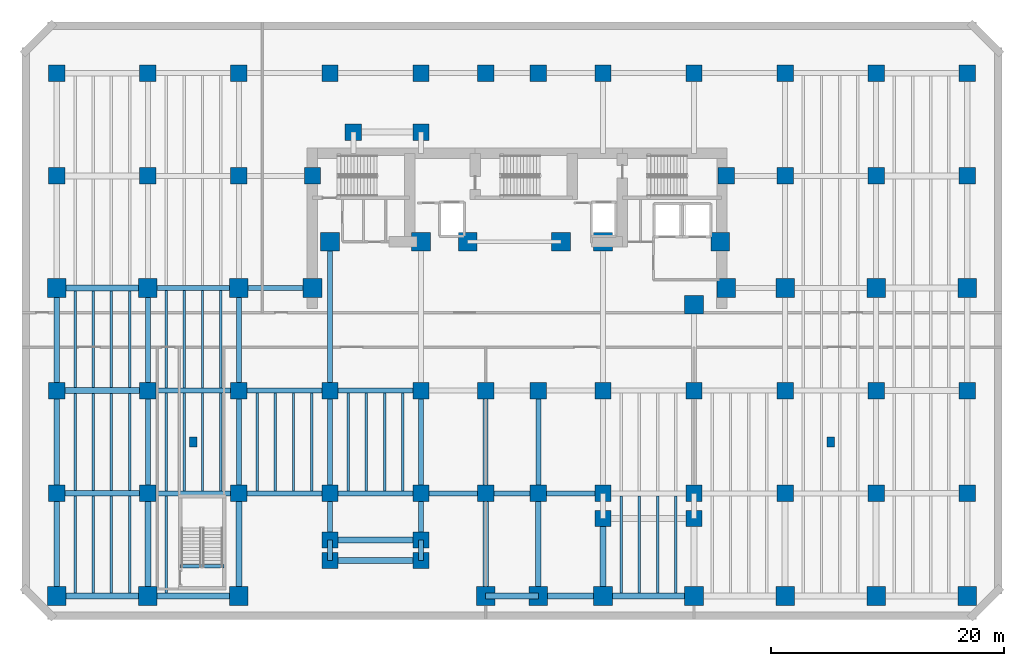
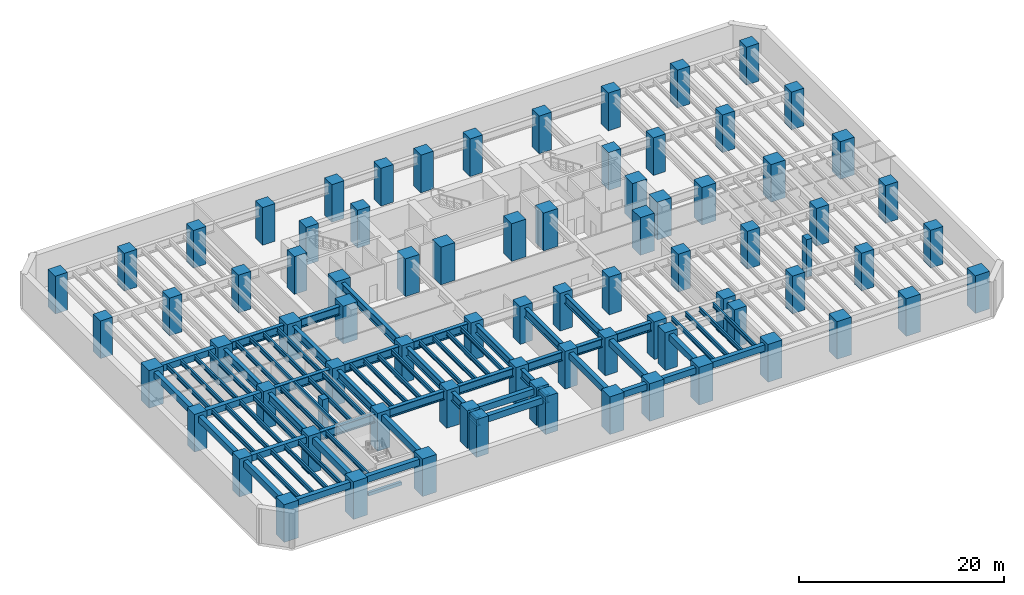
# One storey, part 1 of 9: 79 columns, 76 beams.
"""IFC4 building model written with IfcOpenShell, lengths in metres."""

import ifcopenshell
import ifcopenshell.guid

model = None  # the IFC model being written
_history = None  # IfcOwnerHistory: only IFC2X3 demands one
_inside = {}  # id of a spatial element -> (the spatial element, [elements in it])
_under = {}  # id of a project, library or spatial element -> (it, [spatial elements below it])
_declared = {}  # id of a project -> (the project, [libraries it declares])
_typed = {}  # id of a type object -> (the type object, [elements of that type])
_made_of = {}  # id of a material, layer set ... -> (it, [elements and type objects made of it])


def new_model(schema):
    """Start an empty IFC model of exactly this schema.

    Asked for "IFC4X3", IfcOpenShell would pick the latest addendum, in which some entities
    have other attributes; the version numbers below select the first issue.
    IFC2X3 requires an IfcOwnerHistory on every rooted entity: one is made here for all.
    """
    global model, _history
    if schema == "IFC4X3":
        model = ifcopenshell.file(schema_version=(4, 3, 0, 0))
    else:
        model = ifcopenshell.file(schema=schema)
    _inside.clear()
    _under.clear()
    _declared.clear()
    _typed.clear()
    _made_of.clear()
    _history = None
    if model.schema == "IFC2X3":
        org = make("IfcOrganization", Name="unknown")
        user = make(
            "IfcPersonAndOrganization",
            ThePerson=make("IfcPerson", FamilyName="unknown"),
            TheOrganization=org,
        )
        app = make(
            "IfcApplication",
            ApplicationDeveloper=org,
            Version="unknown",
            ApplicationFullName="unknown",
            ApplicationIdentifier="unknown",
        )
        _history = make(
            "IfcOwnerHistory",
            OwningUser=user,
            OwningApplication=app,
            ChangeAction="ADDED",
            CreationDate=0,
        )
    return model


def make(cls, **values):
    """One entity of the class cls with the attributes given. An attribute that is None is left unset."""
    return model.create_entity(
        cls, **{name: value for name, value in values.items() if value is not None}
    )


def rooted(cls, **values):
    """An entity with a GlobalId (a new one), such as an element, a storey or a relation."""
    return make(cls, GlobalId=ifcopenshell.guid.new(), OwnerHistory=_history, **values)


def si_unit(unit_type, name, prefix=None):
    """IfcSIUnit, for example si_unit("LENGTHUNIT", "METRE", prefix="MILLI")."""
    return make("IfcSIUnit", UnitType=unit_type, Prefix=prefix, Name=name)


def assignment(units):
    """IfcUnitAssignment: the units of a project."""
    return None if units is None else make("IfcUnitAssignment", Units=units)


def point(xyz):
    """IfcCartesianPoint."""
    return None if xyz is None else make("IfcCartesianPoint", Coordinates=xyz)


def direction(xyz):
    """IfcDirection."""
    return None if xyz is None else make("IfcDirection", DirectionRatios=xyz)


def frame(location, z_axis=None, x_axis=None):
    """IfcAxis2Placement3D, a coordinate frame: its origin and axes. An axis left out is left unset."""
    return make(
        "IfcAxis2Placement3D",
        Location=point(location),
        Axis=direction(z_axis),
        RefDirection=direction(x_axis),
    )


def frame_2d(location, x_axis=None):
    """IfcAxis2Placement2D, a coordinate frame in the plane: its origin and x axis."""
    return make(
        "IfcAxis2Placement2D", Location=point(location), RefDirection=direction(x_axis)
    )


def origin():
    """The frame at (0, 0, 0) with its axes left unset."""
    return frame((0.0, 0.0, 0.0))


def origin_2d():
    """The frame at (0, 0) in the plane with its x axis left unset."""
    return frame_2d((0.0, 0.0))


def place(relative_to, where):
    """IfcLocalPlacement: puts the frame where relative to a parent placement (None: the world)."""
    return make(
        "IfcLocalPlacement", PlacementRelTo=relative_to, RelativePlacement=where
    )


def context(
    kind, dimensions, precision=None, world=None, true_north=None, identifier=None
):
    """IfcGeometricRepresentationContext, for example the 3D "Model" context."""
    return make(
        "IfcGeometricRepresentationContext",
        ContextIdentifier=identifier,
        ContextType=kind,
        CoordinateSpaceDimension=dimensions,
        Precision=precision,
        WorldCoordinateSystem=world,
        TrueNorth=true_north,
    )


def subcontext(parent, identifier, kind, view, scale=None):
    """IfcGeometricRepresentationSubContext, for example "Body" below "Model"."""
    return make(
        "IfcGeometricRepresentationSubContext",
        ContextIdentifier=identifier,
        ContextType=kind,
        ParentContext=parent,
        TargetScale=scale,
        TargetView=view,
    )


def project(units=None, contexts=None):
    """IfcProject with its units and contexts."""
    return rooted(
        "IfcProject",
        Name="project",
        RepresentationContexts=contexts,
        UnitsInContext=assignment(units),
    )


def spatial(cls, under=None, at=None, **own):
    """A site, building, storey or space (cls), placed at a placement, below another one or the project."""
    s = rooted(cls, ObjectPlacement=at, **own)
    if under is not None:
        _under.setdefault(under.id(), (under, []))[1].append(s)
    return s


def profile(cls, at=None, kind="AREA", **sizes):
    """A parametric profile (cls). Its sizes go by their IFC names, for example OverallWidth=200.0."""
    return make(cls, ProfileType=kind, Position=at, **sizes)


def rectangle(**sizes):
    """IfcRectangleProfileDef."""
    return profile("IfcRectangleProfileDef", **sizes)


def i_section(**sizes):
    """IfcIShapeProfileDef."""
    return profile("IfcIShapeProfileDef", **sizes)


def extrude(swept, where, along, depth):
    """IfcExtrudedAreaSolid: the profile swept, set in the frame where, extruded along a direction by depth."""
    return make(
        "IfcExtrudedAreaSolid",
        SweptArea=swept,
        Position=where,
        ExtrudedDirection=direction(along),
        Depth=depth,
    )


def shape(context_of_items, identifier, shape_type, items):
    """IfcShapeRepresentation: the items that make up one representation, for example the "Body"."""
    return make(
        "IfcShapeRepresentation",
        ContextOfItems=context_of_items,
        RepresentationIdentifier=identifier,
        RepresentationType=shape_type,
        Items=items,
    )


def material(Name=None, Category=None):
    """IfcMaterial."""
    return make("IfcMaterial", Name=Name, Category=Category)


def material_profile(
    of_material, cross_section, Name=None, Category=None, Priority=None
):
    """IfcMaterialProfile: a cross section and its material."""
    return make(
        "IfcMaterialProfile",
        Name=Name,
        Material=of_material,
        Profile=cross_section,
        Priority=Priority,
        Category=Category,
    )


def profile_set(profiles, Name=None, composite=None):
    """IfcMaterialProfileSet."""
    return make(
        "IfcMaterialProfileSet",
        Name=Name,
        MaterialProfiles=profiles,
        CompositeProfile=composite,
    )


def made_of(thing, what):
    """Note that an element or type object is made of a material, layer set ...; save() writes the relation."""
    if what is not None:
        _made_of.setdefault(what.id(), (what, []))[1].append(thing)
    return thing


def type_object(cls, material=None, **own):
    """A type object (cls), such as IfcWallType, which elements share."""
    return made_of(rooted(cls, **own), material)


def element(
    cls,
    number,
    at=None,
    inside=None,
    cuts=None,
    type_object=None,
    material=None,
    context=None,
    identifier="Body",
    shape_type=None,
    held_by="IfcProductDefinitionShape",
    body=None,
    shapes=None,
    **own,
):
    """One element of the class cls, such as IfcWall. Its Tag is "e" and its number.

    at: its placement. inside: the storey or other place that contains it. cuts: it is an
    opening in that element (IfcRelVoidsElement). A single representation is given by context,
    identifier, shape_type and body (its items); several are given by shapes. held_by: the class
    of the entity that holds the representations. save() writes the other relations.
    """
    e = rooted(cls, Tag="e%d" % number, ObjectPlacement=at, **own)
    if body is not None:
        shapes = [shape(context, identifier, shape_type, body)]
    if shapes is not None:
        e.Representation = make(held_by, Representations=shapes)
    if inside is not None:
        _inside.setdefault(inside.id(), (inside, []))[1].append(e)
    if cuts is not None:
        rooted(
            "IfcRelVoidsElement", RelatingBuildingElement=cuts, RelatedOpeningElement=e
        )
    if type_object is not None:
        _typed.setdefault(type_object.id(), (type_object, []))[1].append(e)
    return made_of(e, material)


def aggregate(whole, parts):
    """IfcRelAggregates: a whole, such as a stair, and the parts it consists of."""
    return rooted("IfcRelAggregates", RelatingObject=whole, RelatedObjects=parts)


def save(model, path):
    """Write the relations noted so far, then the file.

    IfcRelAggregates (storeys below a building ...), IfcRelContainedInSpatialStructure (elements
    in a storey), IfcRelDefinesByType, IfcRelAssociatesMaterial and IfcRelDeclares: one each for
    every whole, place, type object, material and project.
    """
    for whole, parts in _under.values():
        aggregate(whole, parts)
    for where, things in _inside.values():
        rooted(
            "IfcRelContainedInSpatialStructure",
            RelatedElements=things,
            RelatingStructure=where,
        )
    for kind, things in _typed.values():
        rooted("IfcRelDefinesByType", RelatedObjects=things, RelatingType=kind)
    for what, things in _made_of.values():
        rooted("IfcRelAssociatesMaterial", RelatedObjects=things, RelatingMaterial=what)
    for by, libraries in _declared.values():
        rooted("IfcRelDeclares", RelatingContext=by, RelatedDefinitions=libraries)
    model.write(path)


model = new_model("IFC4")

# Units and contexts
model_context = context("Model", 3, precision=1e-05, world=origin(), true_north=direction((0.0, 1.0)))
body_context = subcontext(model_context, "Body", "Model", "MODEL_VIEW")
ifc_project = project(units=[si_unit("LENGTHUNIT", "METRE"), si_unit("AREAUNIT", "SQUARE_METRE"), si_unit("VOLUMEUNIT", "CUBIC_METRE"), si_unit("PLANEANGLEUNIT", "RADIAN"), si_unit("MASSUNIT", "GRAM", prefix="KILO")], contexts=[model_context])

# Site, building, storey
site_placement = place(None, origin())
site = spatial("IfcSite", under=ifc_project, at=site_placement, CompositionType="ELEMENT")
building_placement = place(site_placement, origin())
building = spatial("IfcBuilding", under=site, at=building_placement, Name="Kestravale Grand Hotel", CompositionType="ELEMENT")
storey_placement = place(building_placement, frame((0.0, 0.0, -4.5)))
storey = spatial("IfcBuildingStorey", under=building, at=storey_placement, Name="B1", CompositionType="ELEMENT", Elevation=-4.5)

# Columns
ifc_material_1 = material(Name="Concrete f'c 70 MPa", Category="concrete")
ifc_material_profile_1 = material_profile(ifc_material_1, rectangle(XDim=1.39990234375, YDim=1.39990234375, at=origin_2d()))
ifc_profile_set_1 = profile_set([ifc_material_profile_1], Name="Concrete f'c 70 MPa")
column_type_1 = type_object("IfcColumnType", Name="C-Z1-1400", PredefinedType="COLUMN", material=ifc_profile_set_1)
for number, where, z_axis, x_axis, name in (
    (1, (0.0, 11.199951171875, 0.0), (0.0, 0.0, 1.0), (1.0, 0.0, 0.0), "B1 column 1-C"),
    (2, (0.0, 20.0, 0.0), (0.0, 0.0, 1.0), (1.0, 0.0, 0.0), "B1 column 1-D"),
    (3, (0.0, 38.39990234375, 0.0), (0.0, 0.0, 1.0), (1.0, 0.0, 0.0), "B1 column 1-F"),
    (4, (0.0, 47.199951171875, 0.0), (0.0, 0.0, 1.0), (1.0, 0.0, 0.0), "B1 column 1-G"),
    (5, (7.800048828125, 11.199951171875, 0.0), (0.0, 0.0, 1.0), (1.0, 0.0, 0.0), "B1 column 2-C"),
    (6, (7.800048828125, 20.0, 0.0), (0.0, 0.0, 1.0), (1.0, 0.0, 0.0), "B1 column 2-D"),
    (7, (7.800048828125, 38.39990234375, 0.0), (0.0, 0.0, 1.0), (1.0, 0.0, 0.0), "B1 column 2-F"),
    (8, (7.800048828125, 47.199951171875, 0.0), (0.0, 0.0, 1.0), (1.0, 0.0, 0.0), "B1 column 2-G"),
    (9, (15.60009765625, 11.199951171875, 0.0), (0.0, 0.0, 1.0), (1.0, 0.0, 0.0), "B1 column 3-C"),
    (10, (15.60009765625, 20.0, 0.0), (0.0, 0.0, 1.0), (1.0, 0.0, 0.0), "B1 column 3-D"),
    (11, (15.60009765625, 38.39990234375, 0.0), (0.0, 0.0, 1.0), (1.0, 0.0, 0.0), "B1 column 3-F"),
    (12, (15.60009765625, 47.199951171875, 0.0), (0.0, 0.0, 1.0), (1.0, 0.0, 0.0), "B1 column 3-G"),
    (13, (23.39990234375, 11.199951171875, 0.0), (0.0, 0.0, 1.0), (1.0, 0.0, 0.0), "B1 column 4-C"),
    (14, (23.39990234375, 20.0, 0.0), (0.0, 0.0, 1.0), (1.0, 0.0, 0.0), "B1 column 4-D"),
    (15, (23.39990234375, 47.199951171875, 0.0), (0.0, 0.0, 1.0), (1.0, 0.0, 0.0), "B1 column 4-G"),
    (16, (31.199951171875, 11.199951171875, 0.0), (0.0, 0.0, 1.0), (1.0, 0.0, 0.0), "B1 column 5-C"),
    (17, (31.199951171875, 20.0, 0.0), (0.0, 0.0, 1.0), (1.0, 0.0, 0.0), "B1 column 5-D"),
    (18, (31.199951171875, 47.199951171875, 0.0), (0.0, 0.0, 1.0), (1.0, 0.0, 0.0), "B1 column 5-G"),
    (19, (36.75, 11.199951171875, 0.0), (0.0, 0.0, 1.0), (1.0, 0.0, 0.0), "B1 column 6-C"),
    (20, (36.75, 20.0, 0.0), (0.0, 0.0, 1.0), (1.0, 0.0, 0.0), "B1 column 6-D"),
    (21, (36.75, 47.199951171875, 0.0), (0.0, 0.0, 1.0), (1.0, 0.0, 0.0), "B1 column 6-G"),
    (22, (41.25, 11.199951171875, 0.0), (0.0, 0.0, 1.0), (1.0, 0.0, 0.0), "B1 column 7-C"),
    (23, (41.25, 20.0, 0.0), (0.0, 0.0, 1.0), (1.0, 0.0, 0.0), "B1 column 7-D"),
    (24, (41.25, 47.199951171875, 0.0), (0.0, 0.0, 1.0), (1.0, 0.0, 0.0), "B1 column 7-G"),
    (25, (46.800048828125, 11.199951171875, 0.0), (0.0, 0.0, 1.0), (1.0, 0.0, 0.0), "B1 column 8-C"),
    (26, (46.800048828125, 20.0, 0.0), (0.0, 0.0, 1.0), (1.0, 0.0, 0.0), "B1 column 8-D"),
    (27, (46.800048828125, 47.199951171875, 0.0), (0.0, 0.0, 1.0), (1.0, 0.0, 0.0), "B1 column 8-G"),
    (28, (54.60009765625, 11.199951171875, 0.0), (0.0, 0.0, 1.0), (1.0, 0.0, 0.0), "B1 column 9-C"),
    (29, (54.60009765625, 20.0, 0.0), (0.0, 0.0, 1.0), (1.0, 0.0, 0.0), "B1 column 9-D"),
    (30, (54.60009765625, 47.199951171875, 0.0), (0.0, 0.0, 1.0), (1.0, 0.0, 0.0), "B1 column 9-G"),
    (31, (62.39990234375, 11.199951171875, 0.0), (0.0, 0.0, 1.0), (1.0, 0.0, 0.0), "B1 column 10-C"),
    (32, (62.39990234375, 20.0, 0.0), (0.0, 0.0, 1.0), (1.0, 0.0, 0.0), "B1 column 10-D"),
    (33, (62.39990234375, 38.39990234375, 0.0), (0.0, 0.0, 1.0), (1.0, 0.0, 0.0), "B1 column 10-F"),
    (34, (62.39990234375, 47.199951171875, 0.0), (0.0, 0.0, 1.0), (1.0, 0.0, 0.0), "B1 column 10-G"),
    (35, (70.199951171875, 11.199951171875, 0.0), (0.0, 0.0, 1.0), (1.0, 0.0, 0.0), "B1 column 11-C"),
    (36, (70.199951171875, 20.0, 0.0), (0.0, 0.0, 1.0), (1.0, 0.0, 0.0), "B1 column 11-D"),
    (37, (70.199951171875, 38.39990234375, 0.0), (0.0, 0.0, 1.0), (1.0, 0.0, 0.0), "B1 column 11-F"),
    (38, (70.199951171875, 47.199951171875, 0.0), (0.0, 0.0, 1.0), (1.0, 0.0, 0.0), "B1 column 11-G"),
    (39, (78.0, 11.199951171875, 0.0), (0.0, 0.0, 1.0), (1.0, 0.0, 0.0), "B1 column 12-C"),
    (40, (78.0, 20.0, 0.0), (0.0, 0.0, 1.0), (1.0, 0.0, 0.0), "B1 column 12-D"),
    (41, (78.0, 38.39990234375, 0.0), (0.0, 0.0, 1.0), (1.0, 0.0, 0.0), "B1 column 12-F"),
    (42, (78.0, 47.199951171875, 0.0), (0.0, 0.0, 1.0), (1.0, 0.0, 0.0), "B1 column 12-G"),
    (43, (21.89990234375, 38.39990234375, 0.0), (0.0, 0.0, 1.0), (1.0, 0.0, 0.0), "B1 column CW-F"),
    (44, (57.35009765625, 38.39990234375, 0.0), (0.0, 0.0, 1.0), (1.0, 0.0, 0.0), "B1 column CE-F"),
    (45, (23.39990234375, 7.199951171875, 0.0), (0.0, 0.0, 1.0), (1.0, 0.0, 0.0), "B1 column 4-BS"),
    (46, (31.199951171875, 7.199951171875, 0.0), (0.0, 0.0, 1.0), (1.0, 0.0, 0.0), "B1 column 5-BS"),
    (47, (25.39990234375, 42.14990234375, 0.0), (0.0, 0.0, 1.0), (1.0, 0.0, 0.0), "B1 column 4-FN"),
    (48, (31.199951171875, 42.14990234375, 0.0), (0.0, 0.0, 1.0), (1.0, 0.0, 0.0), "B1 column 5-FN"),
    (49, (23.39990234375, 5.449951171875, 0.0), (0.0, 0.0, 1.0), (1.0, 0.0, 0.0), "B1 column 4-B1S"),
    (50, (31.199951171875, 5.449951171875, 0.0), (0.0, 0.0, 1.0), (1.0, 0.0, 0.0), "B1 column 5-B1S"),
    (51, (46.800048828125, 9.050048828125, 0.0), (0.0, 0.0, 1.0), (1.0, 0.0, 0.0), "B1 column 8-B1E"),
    (52, (54.60009765625, 9.050048828125, 0.0), (0.0, 0.0, 1.0), (1.0, 0.0, 0.0), "B1 column 9-B1E"),
):
    element("IfcColumn", number, at=place(storey_placement, frame(where, z_axis=z_axis, x_axis=x_axis)), inside=storey, type_object=column_type_1, Name=name, PredefinedType="COLUMN", context=body_context, shape_type="SweptSolid", body=[
        extrude(rectangle(XDim=1.39990234375, YDim=1.39990234375, at=origin_2d()), origin(), (0.0, 0.0, 1.0), 4.5),
    ])
ifc_material_2 = material(Name="Concrete f'c 70 MPa", Category="concrete")
ifc_material_profile_2 = material_profile(ifc_material_2, rectangle(XDim=1.60009765625, YDim=1.60009765625, at=origin_2d()))
ifc_profile_set_2 = profile_set([ifc_material_profile_2], Name="Concrete f'c 70 MPa")
column_type_2 = type_object("IfcColumnType", Name="C-Z1-1600", PredefinedType="COLUMN", material=ifc_profile_set_2)
for number, where, z_axis, x_axis, name in (
    (53, (0.0, 2.39990234375, 0.0), (0.0, 0.0, 1.0), (1.0, 0.0, 0.0), "B1 column 1-B"),
    (54, (0.0, 28.800048828125, 0.0), (0.0, 0.0, 1.0), (1.0, 0.0, 0.0), "B1 column 1-E"),
    (55, (7.800048828125, 2.39990234375, 0.0), (0.0, 0.0, 1.0), (1.0, 0.0, 0.0), "B1 column 2-B"),
    (56, (7.800048828125, 28.800048828125, 0.0), (0.0, 0.0, 1.0), (1.0, 0.0, 0.0), "B1 column 2-E"),
    (57, (15.60009765625, 2.39990234375, 0.0), (0.0, 0.0, 1.0), (1.0, 0.0, 0.0), "B1 column 3-B"),
    (58, (15.60009765625, 28.800048828125, 0.0), (0.0, 0.0, 1.0), (1.0, 0.0, 0.0), "B1 column 3-E"),
    (59, (36.75, 2.39990234375, 0.0), (0.0, 0.0, 1.0), (1.0, 0.0, 0.0), "B1 column 6-B"),
    (60, (41.25, 2.39990234375, 0.0), (0.0, 0.0, 1.0), (1.0, 0.0, 0.0), "B1 column 7-B"),
    (61, (46.800048828125, 2.39990234375, 0.0), (0.0, 0.0, 1.0), (1.0, 0.0, 0.0), "B1 column 8-B"),
    (62, (54.60009765625, 2.39990234375, 0.0), (0.0, 0.0, 1.0), (1.0, 0.0, 0.0), "B1 column 9-B"),
    (63, (62.39990234375, 2.39990234375, 0.0), (0.0, 0.0, 1.0), (1.0, 0.0, 0.0), "B1 column 10-B"),
    (64, (62.39990234375, 28.800048828125, 0.0), (0.0, 0.0, 1.0), (1.0, 0.0, 0.0), "B1 column 10-E"),
    (65, (70.199951171875, 2.39990234375, 0.0), (0.0, 0.0, 1.0), (1.0, 0.0, 0.0), "B1 column 11-B"),
    (66, (70.199951171875, 28.800048828125, 0.0), (0.0, 0.0, 1.0), (1.0, 0.0, 0.0), "B1 column 11-E"),
    (67, (78.0, 2.39990234375, 0.0), (0.0, 0.0, 1.0), (1.0, 0.0, 0.0), "B1 column 12-B"),
    (68, (78.0, 28.800048828125, 0.0), (0.0, 0.0, 1.0), (1.0, 0.0, 0.0), "B1 column 12-E"),
    (69, (21.89990234375, 28.800048828125, 0.0), (0.0, 0.0, 1.0), (1.0, 0.0, 0.0), "B1 column CW-E"),
    (70, (57.35009765625, 28.800048828125, 0.0), (0.0, 0.0, 1.0), (1.0, 0.0, 0.0), "B1 column CE-E"),
    (71, (23.39990234375, 32.75, 0.0), (0.0, 0.0, 1.0), (1.0, 0.0, 0.0), "B1 column 4-CS"),
    (72, (31.199951171875, 32.75, 0.0), (0.0, 0.0, 1.0), (1.0, 0.0, 0.0), "B1 column 5-CS"),
    (73, (35.199951171875, 32.75, 0.0), (0.0, 0.0, 1.0), (1.0, 0.0, 0.0), "B1 column 6C-CS"),
    (74, (43.199951171875, 32.75, 0.0), (0.0, 0.0, 1.0), (1.0, 0.0, 0.0), "B1 column 7C-CS"),
    (75, (46.800048828125, 32.75, 0.0), (0.0, 0.0, 1.0), (1.0, 0.0, 0.0), "B1 column 8-CS"),
    (76, (54.60009765625, 27.35009765625, 0.0), (0.0, 0.0, 1.0), (1.0, 0.0, 0.0), "B1 column 9-CS"),
    (77, (56.85009765625, 32.75, 0.0), (0.0, 0.0, 1.0), (1.0, 0.0, 0.0), "B1 column 9C-CS"),
):
    element("IfcColumn", number, at=place(storey_placement, frame(where, z_axis=z_axis, x_axis=x_axis)), inside=storey, type_object=column_type_2, Name=name, PredefinedType="COLUMN", context=body_context, shape_type="SweptSolid", body=[
        extrude(rectangle(XDim=1.60009765625, YDim=1.60009765625, at=origin_2d()), origin(), (0.0, 0.0, 1.0), 4.5),
    ])
ifc_material_3 = material(Name="Precast concrete f'c 45 MPa", Category="concrete")
ifc_material_profile_3 = material_profile(ifc_material_3, rectangle(XDim=0.64990234375, YDim=0.85009765625, at=origin_2d()))
ifc_profile_set_3 = profile_set([ifc_material_profile_3], Name="Precast concrete f'c 45 MPa")
column_type_3 = type_object("IfcColumnType", Name="C-Z1-PIL850", PredefinedType="PILASTER", material=ifc_profile_set_3)
for number, where, z_axis, x_axis, name in (
    (78, (11.699951171875, 15.60009765625, 0.0), (0.0, 0.0, 1.0), (1.0, 0.0, 0.0), "B1 Art Deco fluted pilaster P1"),
    (79, (66.300048828125, 15.60009765625, 0.0), (0.0, 0.0, 1.0), (1.0, 0.0, 0.0), "B1 Art Deco fluted pilaster P2"),
):
    element("IfcColumn", number, at=place(storey_placement, frame(where, z_axis=z_axis, x_axis=x_axis)), inside=storey, type_object=column_type_3, Name=name, PredefinedType="PILASTER", context=body_context, shape_type="SweptSolid", body=[
        extrude(rectangle(XDim=0.64990234375, YDim=0.85009765625, at=origin_2d()), origin(), (0.0, 0.0, 1.0), 4.5),
    ])

# Beams
ifc_material_4 = material(Name="Steel ASTM A992 Grade 50", Category="steel")
ifc_material_profile_4 = material_profile(ifc_material_4, i_section(OverallWidth=0.2099609375, OverallDepth=0.535888671875, WebThickness=0.010986328125, FlangeThickness=0.017333984375, FilletRadius=0.017578125, at=origin_2d()))
ifc_profile_set_4 = profile_set([ifc_material_profile_4], Name="Steel ASTM A992 Grade 50")
beam_type_1 = type_object("IfcBeamType", Name="B-FLR-JST21", PredefinedType="JOIST", material=ifc_profile_set_4)
for number, where, z_axis, x_axis, name in (
    (80, (1.56005859375, 2.64990234375, 3.882080078125), (0.0, 1.0, 0.0), (-1.0, 0.0, 0.0), "B1 floor joist 1-2/B-C #1"),
    (81, (3.1201171875, 2.64990234375, 3.882080078125), (0.0, 1.0, 0.0), (-1.0, 0.0, 0.0), "B1 floor joist 1-2/B-C #2"),
    (82, (4.679931640625, 2.64990234375, 3.882080078125), (0.0, 1.0, 0.0), (-1.0, 0.0, 0.0), "B1 floor joist 1-2/B-C #3"),
    (83, (6.239990234375, 2.64990234375, 3.882080078125), (0.0, 1.0, 0.0), (-1.0, 0.0, 0.0), "B1 floor joist 1-2/B-C #4"),
    (84, (1.56005859375, 11.449951171875, 3.882080078125), (0.0, 1.0, 0.0), (-1.0, 0.0, 0.0), "B1 floor joist 1-2/C-D #1"),
    (85, (3.1201171875, 11.449951171875, 3.882080078125), (0.0, 1.0, 0.0), (-1.0, 0.0, 0.0), "B1 floor joist 1-2/C-D #2"),
    (86, (4.679931640625, 11.449951171875, 3.882080078125), (0.0, 1.0, 0.0), (-1.0, 0.0, 0.0), "B1 floor joist 1-2/C-D #3"),
    (87, (6.239990234375, 11.449951171875, 3.882080078125), (0.0, 1.0, 0.0), (-1.0, 0.0, 0.0), "B1 floor joist 1-2/C-D #4"),
    (88, (1.56005859375, 20.25, 3.882080078125), (0.0, 1.0, 0.0), (-1.0, 0.0, 0.0), "B1 floor joist 1-2/D-E #1"),
    (89, (3.1201171875, 20.25, 3.882080078125), (0.0, 1.0, 0.0), (-1.0, 0.0, 0.0), "B1 floor joist 1-2/D-E #2"),
    (90, (4.679931640625, 20.25, 3.882080078125), (0.0, 1.0, 0.0), (-1.0, 0.0, 0.0), "B1 floor joist 1-2/D-E #3"),
    (91, (6.239990234375, 20.25, 3.882080078125), (0.0, 1.0, 0.0), (-1.0, 0.0, 0.0), "B1 floor joist 1-2/D-E #4"),
):
    element("IfcBeam", number, at=place(storey_placement, frame(where, z_axis=z_axis, x_axis=x_axis)), inside=storey, type_object=beam_type_1, Name=name, PredefinedType="JOIST", context=body_context, shape_type="SweptSolid", body=[
        extrude(i_section(OverallWidth=0.2099609375, OverallDepth=0.535888671875, WebThickness=0.010986328125, FlangeThickness=0.017333984375, FilletRadius=0.017578125, at=origin_2d()), origin(), (0.0, 0.0, 1.0), 8.300048828125),
    ])
beam_1_placement = place(storey_placement, frame((9.360107421875, 2.64990234375, 3.882080078125), z_axis=(0.0, 1.0, 0.0), x_axis=(-1.0, 0.0, 0.0)))
element("IfcBeam", 92, at=beam_1_placement, inside=storey, type_object=beam_type_1, Name="B1 floor joist 2-3/B-C #1", PredefinedType="JOIST", context=body_context, shape_type="SweptSolid", body=[
    extrude(i_section(OverallWidth=0.2099609375, OverallDepth=0.535888671875, WebThickness=0.010986328125, FlangeThickness=0.017333984375, FilletRadius=0.017578125, at=origin_2d()), origin(), (0.0, 0.0, 1.0), 8.336669921875),
])
for number, where, z_axis, x_axis, name in (
    (93, (9.360107421875, 11.41357421875, 3.882080078125), (0.0, 1.0, 0.0), (-1.0, 0.0, 0.0), "B1 floor joist 2-3/C-D #1"),
    (94, (10.919921875, 11.41357421875, 3.882080078125), (0.0, 1.0, 0.0), (-1.0, 0.0, 0.0), "B1 floor joist 2-3/C-D #2"),
    (95, (12.47998046875, 11.41357421875, 3.882080078125), (0.0, 1.0, 0.0), (-1.0, 0.0, 0.0), "B1 floor joist 2-3/C-D #3"),
    (96, (14.0400390625, 11.41357421875, 3.882080078125), (0.0, 1.0, 0.0), (-1.0, 0.0, 0.0), "B1 floor joist 2-3/C-D #4"),
    (97, (9.360107421875, 20.21337890625, 3.882080078125), (0.0, 1.0, 0.0), (-1.0, 0.0, 0.0), "B1 floor joist 2-3/D-E #1"),
    (98, (10.919921875, 20.21337890625, 3.882080078125), (0.0, 1.0, 0.0), (-1.0, 0.0, 0.0), "B1 floor joist 2-3/D-E #2"),
    (99, (12.47998046875, 20.21337890625, 3.882080078125), (0.0, 1.0, 0.0), (-1.0, 0.0, 0.0), "B1 floor joist 2-3/D-E #3"),
    (100, (14.0400390625, 20.21337890625, 3.882080078125), (0.0, 1.0, 0.0), (-1.0, 0.0, 0.0), "B1 floor joist 2-3/D-E #4"),
    (101, (17.159912109375, 11.41357421875, 3.882080078125), (0.0, 1.0, 0.0), (-1.0, 0.0, 0.0), "B1 floor joist 3-4/C-D #1"),
    (102, (18.719970703125, 11.41357421875, 3.882080078125), (0.0, 1.0, 0.0), (-1.0, 0.0, 0.0), "B1 floor joist 3-4/C-D #2"),
    (103, (20.280029296875, 11.41357421875, 3.882080078125), (0.0, 1.0, 0.0), (-1.0, 0.0, 0.0), "B1 floor joist 3-4/C-D #3"),
    (104, (21.840087890625, 11.41357421875, 3.882080078125), (0.0, 1.0, 0.0), (-1.0, 0.0, 0.0), "B1 floor joist 3-4/C-D #4"),
    (105, (24.9599609375, 11.41357421875, 3.882080078125), (0.0, 1.0, 0.0), (-1.0, 0.0, 0.0), "B1 floor joist 4-5/C-D #1"),
    (106, (26.52001953125, 11.41357421875, 3.882080078125), (0.0, 1.0, 0.0), (-1.0, 0.0, 0.0), "B1 floor joist 4-5/C-D #2"),
    (107, (28.080078125, 11.41357421875, 3.882080078125), (0.0, 1.0, 0.0), (-1.0, 0.0, 0.0), "B1 floor joist 4-5/C-D #3"),
    (108, (29.639892578125, 11.41357421875, 3.882080078125), (0.0, 1.0, 0.0), (-1.0, 0.0, 0.0), "B1 floor joist 4-5/C-D #4"),
):
    element("IfcBeam", number, at=place(storey_placement, frame(where, z_axis=z_axis, x_axis=x_axis)), inside=storey, type_object=beam_type_1, Name=name, PredefinedType="JOIST", context=body_context, shape_type="SweptSolid", body=[
        extrude(i_section(OverallWidth=0.2099609375, OverallDepth=0.535888671875, WebThickness=0.010986328125, FlangeThickness=0.017333984375, FilletRadius=0.017578125, at=origin_2d()), origin(), (0.0, 0.0, 1.0), 8.373046875),
    ])
for number, where, z_axis, x_axis, name in (
    (109, (48.360107421875, 2.64990234375, 3.882080078125), (0.0, 1.0, 0.0), (-1.0, 0.0, 0.0), "B1 floor joist 8-9/B-C #1"),
    (110, (49.919921875, 2.64990234375, 3.882080078125), (0.0, 1.0, 0.0), (-1.0, 0.0, 0.0), "B1 floor joist 8-9/B-C #2"),
    (111, (51.47998046875, 2.64990234375, 3.882080078125), (0.0, 1.0, 0.0), (-1.0, 0.0, 0.0), "B1 floor joist 8-9/B-C #3"),
    (112, (53.0400390625, 2.64990234375, 3.882080078125), (0.0, 1.0, 0.0), (-1.0, 0.0, 0.0), "B1 floor joist 8-9/B-C #4"),
):
    element("IfcBeam", number, at=place(storey_placement, frame(where, z_axis=z_axis, x_axis=x_axis)), inside=storey, type_object=beam_type_1, Name=name, PredefinedType="JOIST", context=body_context, shape_type="SweptSolid", body=[
        extrude(i_section(OverallWidth=0.2099609375, OverallDepth=0.535888671875, WebThickness=0.010986328125, FlangeThickness=0.017333984375, FilletRadius=0.017578125, at=origin_2d()), origin(), (0.0, 0.0, 1.0), 8.336669921875),
    ])
ifc_material_5 = material(Name="Concrete f'c 45 MPa", Category="concrete")
ifc_material_profile_5 = material_profile(ifc_material_5, rectangle(XDim=0.300048828125, YDim=0.39990234375, at=origin_2d()))
ifc_profile_set_5 = profile_set([ifc_material_profile_5], Name="Concrete f'c 45 MPa")
beam_type_2 = type_object("IfcBeamType", Name="B-FLR-LNT400", PredefinedType="LINTEL", material=ifc_profile_set_5)
beam_2_placement = place(storey_placement, frame((10.56005859375, 4.9599609375, -0.199951171875), z_axis=(1.0, 0.0, 0.0), x_axis=(0.0, 1.0, 0.0)))
element("IfcBeam", 113, at=beam_2_placement, inside=storey, type_object=beam_type_2, Name="B1 ST4 flight bottom header beam", PredefinedType="LINTEL", context=body_context, shape_type="SweptSolid", body=[
    extrude(rectangle(XDim=0.300048828125, YDim=0.39990234375, at=origin_2d()), origin(), (0.0, 0.0, 1.0), 3.77001953125),
])
ifc_material_6 = material(Name="Concrete f'c 45 MPa", Category="concrete")
ifc_material_profile_6 = material_profile(ifc_material_6, rectangle(XDim=0.5, YDim=0.75, at=origin_2d()))
ifc_profile_set_6 = profile_set([ifc_material_profile_6], Name="Concrete f'c 45 MPa")
beam_type_3 = type_object("IfcBeamType", Name="B-FLR-RC750", PredefinedType="SPANDREL", material=ifc_profile_set_6)
for number, where, z_axis, x_axis, name in (
    (114, (0.0, 2.39990234375, 3.77490234375), (1.0, 0.0, 0.0), (0.0, 1.0, 0.0), "B1 spandrel B:1-2"),
    (115, (7.800048828125, 2.39990234375, 3.77490234375), (1.0, 0.0, 0.0), (0.0, 1.0, 0.0), "B1 spandrel B:2-3"),
):
    element("IfcBeam", number, at=place(storey_placement, frame(where, z_axis=z_axis, x_axis=x_axis)), inside=storey, type_object=beam_type_3, Name=name, PredefinedType="SPANDREL", context=body_context, shape_type="SweptSolid", body=[
        extrude(rectangle(XDim=0.5, YDim=0.75, at=origin_2d()), origin(), (0.0, 0.0, 1.0), 7.800048828125),
    ])
beam_3_placement = place(storey_placement, frame((36.75, 2.39990234375, 3.77490234375), z_axis=(1.0, 0.0, 0.0), x_axis=(0.0, 1.0, 0.0)))
element("IfcBeam", 116, at=beam_3_placement, inside=storey, type_object=beam_type_3, Name="B1 spandrel B:6-7", PredefinedType="SPANDREL", context=body_context, shape_type="SweptSolid", body=[
    extrude(rectangle(XDim=0.5, YDim=0.75, at=origin_2d()), origin(), (0.0, 0.0, 1.0), 4.5),
])
beam_4_placement = place(storey_placement, frame((41.25, 2.39990234375, 3.77490234375), z_axis=(1.0, 0.0, 0.0), x_axis=(0.0, 1.0, 0.0)))
element("IfcBeam", 117, at=beam_4_placement, inside=storey, type_object=beam_type_3, Name="B1 spandrel B:7-8", PredefinedType="SPANDREL", context=body_context, shape_type="SweptSolid", body=[
    extrude(rectangle(XDim=0.5, YDim=0.75, at=origin_2d()), origin(), (0.0, 0.0, 1.0), 5.550048828125),
])
for number, where, z_axis, x_axis, name in (
    (118, (46.800048828125, 2.39990234375, 3.77490234375), (1.0, 0.0, 0.0), (0.0, 1.0, 0.0), "B1 spandrel B:8-9"),
    (119, (0.0, 11.199951171875, 3.77490234375), (1.0, 0.0, 0.0), (0.0, 1.0, 0.0), "B1 spandrel C:1-2"),
    (120, (0.0, 20.0, 3.77490234375), (1.0, 0.0, 0.0), (0.0, 1.0, 0.0), "B1 spandrel D:1-2"),
    (121, (0.0, 28.800048828125, 3.77490234375), (1.0, 0.0, 0.0), (0.0, 1.0, 0.0), "B1 spandrel E:1-2"),
    (122, (23.39990234375, 5.449951171875, 3.77490234375), (1.0, 0.0, 0.0), (0.0, 1.0, 0.0), "B1 perimeter tie spandrel B1S:4-5"),
    (123, (23.39990234375, 7.199951171875, 3.77490234375), (1.0, 0.0, 0.0), (0.0, 1.0, 0.0), "B1 perimeter tie spandrel BS:4-5"),
):
    element("IfcBeam", number, at=place(storey_placement, frame(where, z_axis=z_axis, x_axis=x_axis)), inside=storey, type_object=beam_type_3, Name=name, PredefinedType="SPANDREL", context=body_context, shape_type="SweptSolid", body=[
        extrude(rectangle(XDim=0.5, YDim=0.75, at=origin_2d()), origin(), (0.0, 0.0, 1.0), 7.800048828125),
    ])
for number, where, z_axis, x_axis, name in (
    (124, (0.0, 2.39990234375, 3.77490234375), (0.0, 1.0, 0.0), (-1.0, 0.0, 0.0), "B1 spandrel 1:B-C"),
    (125, (0.0, 11.199951171875, 3.77490234375), (0.0, 1.0, 0.0), (-1.0, 0.0, 0.0), "B1 spandrel 1:C-D"),
    (126, (0.0, 20.0, 3.77490234375), (0.0, 1.0, 0.0), (-1.0, 0.0, 0.0), "B1 spandrel 1:D-E"),
    (127, (7.800048828125, 2.39990234375, 3.77490234375), (0.0, 1.0, 0.0), (-1.0, 0.0, 0.0), "B1 spandrel 2:B-C"),
    (128, (15.60009765625, 2.39990234375, 3.77490234375), (0.0, 1.0, 0.0), (-1.0, 0.0, 0.0), "B1 spandrel 3:B-C"),
    (129, (36.75, 2.39990234375, 3.77490234375), (0.0, 1.0, 0.0), (-1.0, 0.0, 0.0), "B1 spandrel 6:B-C"),
    (130, (41.25, 2.39990234375, 3.77490234375), (0.0, 1.0, 0.0), (-1.0, 0.0, 0.0), "B1 spandrel 7:B-C"),
):
    element("IfcBeam", number, at=place(storey_placement, frame(where, z_axis=z_axis, x_axis=x_axis)), inside=storey, type_object=beam_type_3, Name=name, PredefinedType="SPANDREL", context=body_context, shape_type="SweptSolid", body=[
        extrude(rectangle(XDim=0.5, YDim=0.75, at=origin_2d()), origin(), (0.0, 0.0, 1.0), 8.800048828125),
    ])
beam_5_placement = place(storey_placement, frame((46.800048828125, 2.39990234375, 3.77490234375), z_axis=(0.0, 1.0, 0.0), x_axis=(-1.0, 0.0, 0.0)))
element("IfcBeam", 131, at=beam_5_placement, inside=storey, type_object=beam_type_3, Name="B1 spandrel 8:B-B1E", PredefinedType="SPANDREL", context=body_context, shape_type="SweptSolid", body=[
    extrude(rectangle(XDim=0.5, YDim=0.75, at=origin_2d()), origin(), (0.0, 0.0, 1.0), 6.650146484375),
])
ifc_material_7 = material(Name="Steel ASTM A992 Grade 50", Category="steel")
ifc_material_profile_7 = material_profile(ifc_material_7, i_section(OverallWidth=0.427001953125, OverallDepth=1.0400390625, WebThickness=0.031005859375, FlangeThickness=0.055908203125, FilletRadius=0.028076171875, at=origin_2d()))
ifc_profile_set_7 = profile_set([ifc_material_profile_7], Name="Steel ASTM A992 Grade 50")
beam_type_4 = type_object("IfcBeamType", Name="B-GRD-W40", PredefinedType="BEAM", material=ifc_profile_set_7)
beam_6_placement = place(storey_placement, frame((7.800048828125, 11.199951171875, 3.6298828125), z_axis=(1.0, 0.0, 0.0), x_axis=(0.0, 1.0, 0.0)))
element("IfcBeam", 132, at=beam_6_placement, inside=storey, type_object=beam_type_4, Name="B1 girder C:2-3", PredefinedType="BEAM", context=body_context, shape_type="SweptSolid", body=[
    extrude(i_section(OverallWidth=0.427001953125, OverallDepth=1.0400390625, WebThickness=0.031005859375, FlangeThickness=0.055908203125, FilletRadius=0.028076171875, at=origin_2d()), origin(), (0.0, 0.0, 1.0), 7.800048828125),
])
beam_7_placement = place(storey_placement, frame((15.60009765625, 11.199951171875, 3.6298828125), z_axis=(1.0, 0.0, 0.0), x_axis=(0.0, 1.0, 0.0)))
element("IfcBeam", 133, at=beam_7_placement, inside=storey, type_object=beam_type_4, Name="B1 girder C:3-4", PredefinedType="BEAM", context=body_context, shape_type="SweptSolid", body=[
    extrude(i_section(OverallWidth=0.427001953125, OverallDepth=1.0400390625, WebThickness=0.031005859375, FlangeThickness=0.055908203125, FilletRadius=0.028076171875, at=origin_2d()), origin(), (0.0, 0.0, 1.0), 7.7998046875),
])
beam_8_placement = place(storey_placement, frame((23.39990234375, 11.199951171875, 3.6298828125), z_axis=(1.0, 0.0, 0.0), x_axis=(0.0, 1.0, 0.0)))
element("IfcBeam", 134, at=beam_8_placement, inside=storey, type_object=beam_type_4, Name="B1 girder C:4-5", PredefinedType="BEAM", context=body_context, shape_type="SweptSolid", body=[
    extrude(i_section(OverallWidth=0.427001953125, OverallDepth=1.0400390625, WebThickness=0.031005859375, FlangeThickness=0.055908203125, FilletRadius=0.028076171875, at=origin_2d()), origin(), (0.0, 0.0, 1.0), 7.800048828125),
])
beam_9_placement = place(storey_placement, frame((31.199951171875, 11.199951171875, 3.6298828125), z_axis=(1.0, 0.0, 0.0), x_axis=(0.0, 1.0, 0.0)))
element("IfcBeam", 135, at=beam_9_placement, inside=storey, type_object=beam_type_4, Name="B1 girder C:5-6", PredefinedType="BEAM", context=body_context, shape_type="SweptSolid", body=[
    extrude(i_section(OverallWidth=0.427001953125, OverallDepth=1.0400390625, WebThickness=0.031005859375, FlangeThickness=0.055908203125, FilletRadius=0.028076171875, at=origin_2d()), origin(), (0.0, 0.0, 1.0), 5.550048828125),
])
beam_10_placement = place(storey_placement, frame((36.75, 11.199951171875, 3.6298828125), z_axis=(1.0, 0.0, 0.0), x_axis=(0.0, 1.0, 0.0)))
element("IfcBeam", 136, at=beam_10_placement, inside=storey, type_object=beam_type_4, Name="B1 girder C:6-7", PredefinedType="BEAM", context=body_context, shape_type="SweptSolid", body=[
    extrude(i_section(OverallWidth=0.427001953125, OverallDepth=1.0400390625, WebThickness=0.031005859375, FlangeThickness=0.055908203125, FilletRadius=0.028076171875, at=origin_2d()), origin(), (0.0, 0.0, 1.0), 4.5),
])
beam_11_placement = place(storey_placement, frame((41.25, 11.199951171875, 3.6298828125), z_axis=(1.0, 0.0, 0.0), x_axis=(0.0, 1.0, 0.0)))
element("IfcBeam", 137, at=beam_11_placement, inside=storey, type_object=beam_type_4, Name="B1 girder C:7-8", PredefinedType="BEAM", context=body_context, shape_type="SweptSolid", body=[
    extrude(i_section(OverallWidth=0.427001953125, OverallDepth=1.0400390625, WebThickness=0.031005859375, FlangeThickness=0.055908203125, FilletRadius=0.028076171875, at=origin_2d()), origin(), (0.0, 0.0, 1.0), 5.550048828125),
])
beam_12_placement = place(storey_placement, frame((7.800048828125, 20.0, 3.6298828125), z_axis=(1.0, 0.0, 0.0), x_axis=(0.0, 1.0, 0.0)))
element("IfcBeam", 138, at=beam_12_placement, inside=storey, type_object=beam_type_4, Name="B1 girder D:2-3", PredefinedType="BEAM", context=body_context, shape_type="SweptSolid", body=[
    extrude(i_section(OverallWidth=0.427001953125, OverallDepth=1.0400390625, WebThickness=0.031005859375, FlangeThickness=0.055908203125, FilletRadius=0.028076171875, at=origin_2d()), origin(), (0.0, 0.0, 1.0), 7.800048828125),
])
beam_13_placement = place(storey_placement, frame((15.60009765625, 20.0, 3.6298828125), z_axis=(1.0, 0.0, 0.0), x_axis=(0.0, 1.0, 0.0)))
element("IfcBeam", 139, at=beam_13_placement, inside=storey, type_object=beam_type_4, Name="B1 girder D:3-4", PredefinedType="BEAM", context=body_context, shape_type="SweptSolid", body=[
    extrude(i_section(OverallWidth=0.427001953125, OverallDepth=1.0400390625, WebThickness=0.031005859375, FlangeThickness=0.055908203125, FilletRadius=0.028076171875, at=origin_2d()), origin(), (0.0, 0.0, 1.0), 7.7998046875),
])
for number, where, z_axis, x_axis, name in (
    (140, (23.39990234375, 20.0, 3.6298828125), (1.0, 0.0, 0.0), (0.0, 1.0, 0.0), "B1 girder D:4-5"),
    (141, (7.800048828125, 28.800048828125, 3.6298828125), (1.0, 0.0, 0.0), (0.0, 1.0, 0.0), "B1 girder E:2-3"),
):
    element("IfcBeam", number, at=place(storey_placement, frame(where, z_axis=z_axis, x_axis=x_axis)), inside=storey, type_object=beam_type_4, Name=name, PredefinedType="BEAM", context=body_context, shape_type="SweptSolid", body=[
        extrude(i_section(OverallWidth=0.427001953125, OverallDepth=1.0400390625, WebThickness=0.031005859375, FlangeThickness=0.055908203125, FilletRadius=0.028076171875, at=origin_2d()), origin(), (0.0, 0.0, 1.0), 7.800048828125),
    ])
beam_14_placement = place(storey_placement, frame((15.60009765625, 28.800048828125, 3.6298828125), z_axis=(1.0, 0.0, 0.0), x_axis=(0.0, 1.0, 0.0)))
element("IfcBeam", 142, at=beam_14_placement, inside=storey, type_object=beam_type_4, Name="B1 girder E:3-CW", PredefinedType="BEAM", context=body_context, shape_type="SweptSolid", body=[
    extrude(i_section(OverallWidth=0.427001953125, OverallDepth=1.0400390625, WebThickness=0.031005859375, FlangeThickness=0.055908203125, FilletRadius=0.028076171875, at=origin_2d()), origin(), (0.0, 0.0, 1.0), 6.2998046875),
])
for number, where, z_axis, x_axis, name in (
    (143, (7.800048828125, 11.199951171875, 3.6298828125), (0.0, 1.0, 0.0), (-1.0, 0.0, 0.0), "B1 girder 2:C-D"),
    (144, (7.800048828125, 20.0, 3.6298828125), (0.0, 1.0, 0.0), (-1.0, 0.0, 0.0), "B1 girder 2:D-E"),
    (145, (15.60009765625, 11.199951171875, 3.6298828125), (0.0, 1.0, 0.0), (-1.0, 0.0, 0.0), "B1 girder 3:C-D"),
    (146, (15.60009765625, 20.0, 3.6298828125), (0.0, 1.0, 0.0), (-1.0, 0.0, 0.0), "B1 girder 3:D-E"),
):
    element("IfcBeam", number, at=place(storey_placement, frame(where, z_axis=z_axis, x_axis=x_axis)), inside=storey, type_object=beam_type_4, Name=name, PredefinedType="BEAM", context=body_context, shape_type="SweptSolid", body=[
        extrude(i_section(OverallWidth=0.427001953125, OverallDepth=1.0400390625, WebThickness=0.031005859375, FlangeThickness=0.055908203125, FilletRadius=0.028076171875, at=origin_2d()), origin(), (0.0, 0.0, 1.0), 8.800048828125),
    ])
beam_15_placement = place(storey_placement, frame((23.39990234375, 5.449951171875, 3.6298828125), z_axis=(0.0, 1.0, 0.0), x_axis=(-1.0, 0.0, 0.0)))
element("IfcBeam", 147, at=beam_15_placement, inside=storey, type_object=beam_type_4, Name="B1 girder 4:B1S-BS", PredefinedType="BEAM", context=body_context, shape_type="SweptSolid", body=[
    extrude(i_section(OverallWidth=0.427001953125, OverallDepth=1.0400390625, WebThickness=0.031005859375, FlangeThickness=0.055908203125, FilletRadius=0.028076171875, at=origin_2d()), origin(), (0.0, 0.0, 1.0), 1.75),
])
beam_16_placement = place(storey_placement, frame((23.39990234375, 7.199951171875, 3.6298828125), z_axis=(0.0, 1.0, 0.0), x_axis=(-1.0, 0.0, 0.0)))
element("IfcBeam", 148, at=beam_16_placement, inside=storey, type_object=beam_type_4, Name="B1 girder 4:BS-C", PredefinedType="BEAM", context=body_context, shape_type="SweptSolid", body=[
    extrude(i_section(OverallWidth=0.427001953125, OverallDepth=1.0400390625, WebThickness=0.031005859375, FlangeThickness=0.055908203125, FilletRadius=0.028076171875, at=origin_2d()), origin(), (0.0, 0.0, 1.0), 4.0),
])
beam_17_placement = place(storey_placement, frame((23.39990234375, 11.199951171875, 3.6298828125), z_axis=(0.0, 1.0, 0.0), x_axis=(-1.0, 0.0, 0.0)))
element("IfcBeam", 149, at=beam_17_placement, inside=storey, type_object=beam_type_4, Name="B1 girder 4:C-D", PredefinedType="BEAM", context=body_context, shape_type="SweptSolid", body=[
    extrude(i_section(OverallWidth=0.427001953125, OverallDepth=1.0400390625, WebThickness=0.031005859375, FlangeThickness=0.055908203125, FilletRadius=0.028076171875, at=origin_2d()), origin(), (0.0, 0.0, 1.0), 8.800048828125),
])
beam_18_placement = place(storey_placement, frame((23.39990234375, 20.0, 3.6298828125), z_axis=(0.0, 1.0, 0.0), x_axis=(-1.0, 0.0, 0.0)))
element("IfcBeam", 150, at=beam_18_placement, inside=storey, type_object=beam_type_4, Name="B1 girder 4:D-CS", PredefinedType="BEAM", context=body_context, shape_type="SweptSolid", body=[
    extrude(i_section(OverallWidth=0.427001953125, OverallDepth=1.0400390625, WebThickness=0.031005859375, FlangeThickness=0.055908203125, FilletRadius=0.028076171875, at=origin_2d()), origin(), (0.0, 0.0, 1.0), 12.75),
])
beam_19_placement = place(storey_placement, frame((31.199951171875, 5.449951171875, 3.6298828125), z_axis=(0.0, 1.0, 0.0), x_axis=(-1.0, 0.0, 0.0)))
element("IfcBeam", 151, at=beam_19_placement, inside=storey, type_object=beam_type_4, Name="B1 girder 5:B1S-BS", PredefinedType="BEAM", context=body_context, shape_type="SweptSolid", body=[
    extrude(i_section(OverallWidth=0.427001953125, OverallDepth=1.0400390625, WebThickness=0.031005859375, FlangeThickness=0.055908203125, FilletRadius=0.028076171875, at=origin_2d()), origin(), (0.0, 0.0, 1.0), 1.75),
])
beam_20_placement = place(storey_placement, frame((31.199951171875, 7.199951171875, 3.6298828125), z_axis=(0.0, 1.0, 0.0), x_axis=(-1.0, 0.0, 0.0)))
element("IfcBeam", 152, at=beam_20_placement, inside=storey, type_object=beam_type_4, Name="B1 girder 5:BS-C", PredefinedType="BEAM", context=body_context, shape_type="SweptSolid", body=[
    extrude(i_section(OverallWidth=0.427001953125, OverallDepth=1.0400390625, WebThickness=0.031005859375, FlangeThickness=0.055908203125, FilletRadius=0.028076171875, at=origin_2d()), origin(), (0.0, 0.0, 1.0), 4.0),
])
for number, where, z_axis, x_axis, name in (
    (153, (31.199951171875, 11.199951171875, 3.6298828125), (0.0, 1.0, 0.0), (-1.0, 0.0, 0.0), "B1 girder 5:C-D"),
    (154, (36.75, 11.199951171875, 3.6298828125), (0.0, 1.0, 0.0), (-1.0, 0.0, 0.0), "B1 girder 6:C-D"),
    (155, (41.25, 11.199951171875, 3.6298828125), (0.0, 1.0, 0.0), (-1.0, 0.0, 0.0), "B1 girder 7:C-D"),
):
    element("IfcBeam", number, at=place(storey_placement, frame(where, z_axis=z_axis, x_axis=x_axis)), inside=storey, type_object=beam_type_4, Name=name, PredefinedType="BEAM", context=body_context, shape_type="SweptSolid", body=[
        extrude(i_section(OverallWidth=0.427001953125, OverallDepth=1.0400390625, WebThickness=0.031005859375, FlangeThickness=0.055908203125, FilletRadius=0.028076171875, at=origin_2d()), origin(), (0.0, 0.0, 1.0), 8.800048828125),
    ])

save(model, "model.ifc")
